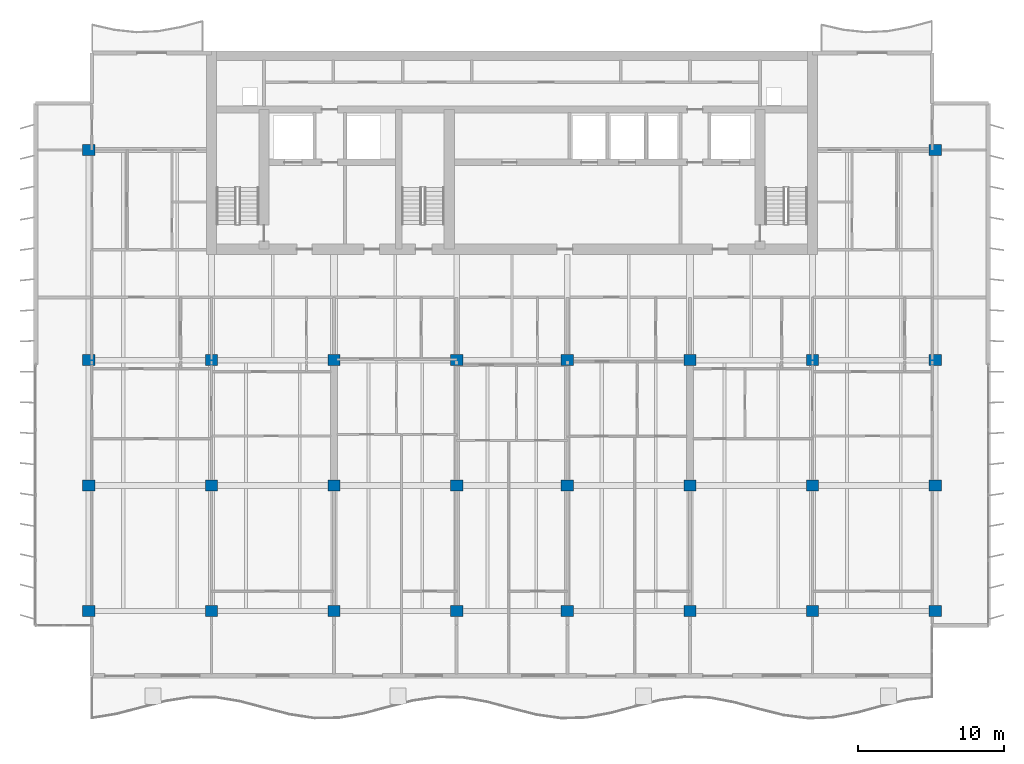
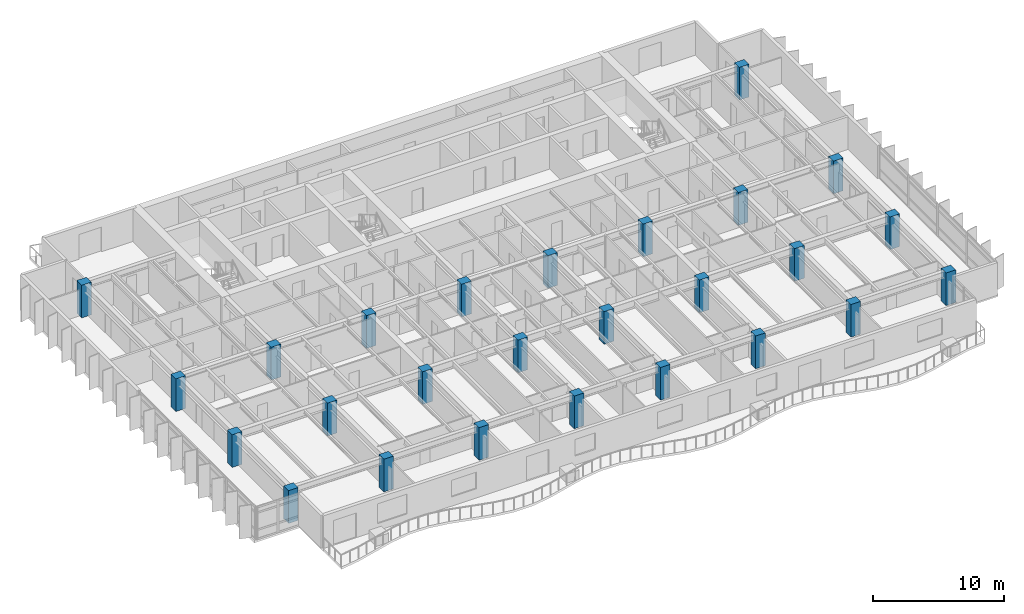
# One storey, part 1 of 19: 26 columns.
"""IFC4 building model written with IfcOpenShell, lengths in metres."""

import ifcopenshell
import ifcopenshell.guid

model = None  # the IFC model being written
_history = None  # IfcOwnerHistory: only IFC2X3 demands one
_inside = {}  # id of a spatial element -> (the spatial element, [elements in it])
_under = {}  # id of a project, library or spatial element -> (it, [spatial elements below it])
_declared = {}  # id of a project -> (the project, [libraries it declares])
_typed = {}  # id of a type object -> (the type object, [elements of that type])
_made_of = {}  # id of a material, layer set ... -> (it, [elements and type objects made of it])


def new_model(schema):
    """Start an empty IFC model of exactly this schema.

    Asked for "IFC4X3", IfcOpenShell would pick the latest addendum, in which some entities
    have other attributes; the version numbers below select the first issue.
    IFC2X3 requires an IfcOwnerHistory on every rooted entity: one is made here for all.
    """
    global model, _history
    if schema == "IFC4X3":
        model = ifcopenshell.file(schema_version=(4, 3, 0, 0))
    else:
        model = ifcopenshell.file(schema=schema)
    _inside.clear()
    _under.clear()
    _declared.clear()
    _typed.clear()
    _made_of.clear()
    _history = None
    if model.schema == "IFC2X3":
        org = make("IfcOrganization", Name="unknown")
        user = make(
            "IfcPersonAndOrganization",
            ThePerson=make("IfcPerson", FamilyName="unknown"),
            TheOrganization=org,
        )
        app = make(
            "IfcApplication",
            ApplicationDeveloper=org,
            Version="unknown",
            ApplicationFullName="unknown",
            ApplicationIdentifier="unknown",
        )
        _history = make(
            "IfcOwnerHistory",
            OwningUser=user,
            OwningApplication=app,
            ChangeAction="ADDED",
            CreationDate=0,
        )
    return model


def make(cls, **values):
    """One entity of the class cls with the attributes given. An attribute that is None is left unset."""
    return model.create_entity(
        cls, **{name: value for name, value in values.items() if value is not None}
    )


def rooted(cls, **values):
    """An entity with a GlobalId (a new one), such as an element, a storey or a relation."""
    return make(cls, GlobalId=ifcopenshell.guid.new(), OwnerHistory=_history, **values)


def si_unit(unit_type, name, prefix=None):
    """IfcSIUnit, for example si_unit("LENGTHUNIT", "METRE", prefix="MILLI")."""
    return make("IfcSIUnit", UnitType=unit_type, Prefix=prefix, Name=name)


def assignment(units):
    """IfcUnitAssignment: the units of a project."""
    return None if units is None else make("IfcUnitAssignment", Units=units)


def point(xyz):
    """IfcCartesianPoint."""
    return None if xyz is None else make("IfcCartesianPoint", Coordinates=xyz)


def direction(xyz):
    """IfcDirection."""
    return None if xyz is None else make("IfcDirection", DirectionRatios=xyz)


def frame(location, z_axis=None, x_axis=None):
    """IfcAxis2Placement3D, a coordinate frame: its origin and axes. An axis left out is left unset."""
    return make(
        "IfcAxis2Placement3D",
        Location=point(location),
        Axis=direction(z_axis),
        RefDirection=direction(x_axis),
    )


def frame_2d(location, x_axis=None):
    """IfcAxis2Placement2D, a coordinate frame in the plane: its origin and x axis."""
    return make(
        "IfcAxis2Placement2D", Location=point(location), RefDirection=direction(x_axis)
    )


def origin():
    """The frame at (0, 0, 0) with its axes left unset."""
    return frame((0.0, 0.0, 0.0))


def origin_2d():
    """The frame at (0, 0) in the plane with its x axis left unset."""
    return frame_2d((0.0, 0.0))


def place(relative_to, where):
    """IfcLocalPlacement: puts the frame where relative to a parent placement (None: the world)."""
    return make(
        "IfcLocalPlacement", PlacementRelTo=relative_to, RelativePlacement=where
    )


def context(
    kind, dimensions, precision=None, world=None, true_north=None, identifier=None
):
    """IfcGeometricRepresentationContext, for example the 3D "Model" context."""
    return make(
        "IfcGeometricRepresentationContext",
        ContextIdentifier=identifier,
        ContextType=kind,
        CoordinateSpaceDimension=dimensions,
        Precision=precision,
        WorldCoordinateSystem=world,
        TrueNorth=true_north,
    )


def subcontext(parent, identifier, kind, view, scale=None):
    """IfcGeometricRepresentationSubContext, for example "Body" below "Model"."""
    return make(
        "IfcGeometricRepresentationSubContext",
        ContextIdentifier=identifier,
        ContextType=kind,
        ParentContext=parent,
        TargetScale=scale,
        TargetView=view,
    )


def project(units=None, contexts=None):
    """IfcProject with its units and contexts."""
    return rooted(
        "IfcProject",
        Name="project",
        RepresentationContexts=contexts,
        UnitsInContext=assignment(units),
    )


def spatial(cls, under=None, at=None, **own):
    """A site, building, storey or space (cls), placed at a placement, below another one or the project."""
    s = rooted(cls, ObjectPlacement=at, **own)
    if under is not None:
        _under.setdefault(under.id(), (under, []))[1].append(s)
    return s


def profile(cls, at=None, kind="AREA", **sizes):
    """A parametric profile (cls). Its sizes go by their IFC names, for example OverallWidth=200.0."""
    return make(cls, ProfileType=kind, Position=at, **sizes)


def rectangle(**sizes):
    """IfcRectangleProfileDef."""
    return profile("IfcRectangleProfileDef", **sizes)


def extrude(swept, where, along, depth):
    """IfcExtrudedAreaSolid: the profile swept, set in the frame where, extruded along a direction by depth."""
    return make(
        "IfcExtrudedAreaSolid",
        SweptArea=swept,
        Position=where,
        ExtrudedDirection=direction(along),
        Depth=depth,
    )


def shape(context_of_items, identifier, shape_type, items):
    """IfcShapeRepresentation: the items that make up one representation, for example the "Body"."""
    return make(
        "IfcShapeRepresentation",
        ContextOfItems=context_of_items,
        RepresentationIdentifier=identifier,
        RepresentationType=shape_type,
        Items=items,
    )


def material(Name=None, Category=None):
    """IfcMaterial."""
    return make("IfcMaterial", Name=Name, Category=Category)


def material_profile(
    of_material, cross_section, Name=None, Category=None, Priority=None
):
    """IfcMaterialProfile: a cross section and its material."""
    return make(
        "IfcMaterialProfile",
        Name=Name,
        Material=of_material,
        Profile=cross_section,
        Priority=Priority,
        Category=Category,
    )


def profile_set(profiles, Name=None, composite=None):
    """IfcMaterialProfileSet."""
    return make(
        "IfcMaterialProfileSet",
        Name=Name,
        MaterialProfiles=profiles,
        CompositeProfile=composite,
    )


def made_of(thing, what):
    """Note that an element or type object is made of a material, layer set ...; save() writes the relation."""
    if what is not None:
        _made_of.setdefault(what.id(), (what, []))[1].append(thing)
    return thing


def type_object(cls, material=None, **own):
    """A type object (cls), such as IfcWallType, which elements share."""
    return made_of(rooted(cls, **own), material)


def element(
    cls,
    number,
    at=None,
    inside=None,
    cuts=None,
    type_object=None,
    material=None,
    context=None,
    identifier="Body",
    shape_type=None,
    held_by="IfcProductDefinitionShape",
    body=None,
    shapes=None,
    **own,
):
    """One element of the class cls, such as IfcWall. Its Tag is "e" and its number.

    at: its placement. inside: the storey or other place that contains it. cuts: it is an
    opening in that element (IfcRelVoidsElement). A single representation is given by context,
    identifier, shape_type and body (its items); several are given by shapes. held_by: the class
    of the entity that holds the representations. save() writes the other relations.
    """
    e = rooted(cls, Tag="e%d" % number, ObjectPlacement=at, **own)
    if body is not None:
        shapes = [shape(context, identifier, shape_type, body)]
    if shapes is not None:
        e.Representation = make(held_by, Representations=shapes)
    if inside is not None:
        _inside.setdefault(inside.id(), (inside, []))[1].append(e)
    if cuts is not None:
        rooted(
            "IfcRelVoidsElement", RelatingBuildingElement=cuts, RelatedOpeningElement=e
        )
    if type_object is not None:
        _typed.setdefault(type_object.id(), (type_object, []))[1].append(e)
    return made_of(e, material)


def aggregate(whole, parts):
    """IfcRelAggregates: a whole, such as a stair, and the parts it consists of."""
    return rooted("IfcRelAggregates", RelatingObject=whole, RelatedObjects=parts)


def save(model, path):
    """Write the relations noted so far, then the file.

    IfcRelAggregates (storeys below a building ...), IfcRelContainedInSpatialStructure (elements
    in a storey), IfcRelDefinesByType, IfcRelAssociatesMaterial and IfcRelDeclares: one each for
    every whole, place, type object, material and project.
    """
    for whole, parts in _under.values():
        aggregate(whole, parts)
    for where, things in _inside.values():
        rooted(
            "IfcRelContainedInSpatialStructure",
            RelatedElements=things,
            RelatingStructure=where,
        )
    for kind, things in _typed.values():
        rooted("IfcRelDefinesByType", RelatedObjects=things, RelatingType=kind)
    for what, things in _made_of.values():
        rooted("IfcRelAssociatesMaterial", RelatedObjects=things, RelatingMaterial=what)
    for by, libraries in _declared.values():
        rooted("IfcRelDeclares", RelatingContext=by, RelatedDefinitions=libraries)
    model.write(path)


model = new_model("IFC4")

# Units and contexts
model_context = context("Model", 3, precision=1e-05, world=origin(), true_north=direction((0.0, 1.0)))
body_context = subcontext(model_context, "Body", "Model", "MODEL_VIEW")
ifc_project = project(units=[si_unit("LENGTHUNIT", "METRE"), si_unit("AREAUNIT", "SQUARE_METRE"), si_unit("VOLUMEUNIT", "CUBIC_METRE"), si_unit("PLANEANGLEUNIT", "RADIAN"), si_unit("MASSUNIT", "GRAM", prefix="KILO")], contexts=[model_context])

# Site, building, storey
site_placement = place(None, origin())
site = spatial("IfcSite", under=ifc_project, at=site_placement, CompositionType="ELEMENT")
building_placement = place(site_placement, origin())
building = spatial("IfcBuilding", under=site, at=building_placement, Name="Caelmar Bay Residences", CompositionType="ELEMENT")
storey_placement = place(building_placement, frame((0.0, 0.0, 167.10009765625)))
storey = spatial("IfcBuildingStorey", under=building, at=storey_placement, Name="L46", CompositionType="ELEMENT", Elevation=167.10009765625)

# Columns
ifc_material = material(Name="Concrete f'c 55 MPa (8,000 psi)", Category="concrete")
ifc_material_profile = material_profile(ifc_material, rectangle(XDim=0.85009765625, YDim=0.75, at=origin_2d()), Name="RC-COL-850X750")
ifc_profile_set = profile_set([ifc_material_profile], Name="Concrete f'c 55 MPa (8,000 psi)")
column_type = type_object("IfcColumnType", Name="COL-RC-850X750", PredefinedType="COLUMN", material=ifc_profile_set)
for number, where, z_axis, x_axis, name in (
    (1, (9.89990234375, 12.199951171875, 0.0), (0.0, 0.0, 1.0), (1.0, 0.0, 0.0), "L46 Column (9.90,12.20)"),
    (2, (18.300048828125, 12.199951171875, 0.0), (0.0, 0.0, 1.0), (1.0, 0.0, 0.0), "L46 Column (18.30,12.20)"),
    (3, (26.699951171875, 12.199951171875, 0.0), (0.0, 0.0, 1.0), (1.0, 0.0, 0.0), "L46 Column (26.70,12.20)"),
    (4, (35.10009765625, 12.199951171875, 0.0), (0.0, 0.0, 1.0), (1.0, 0.0, 0.0), "L46 Column (35.10,12.20)"),
    (5, (42.699951171875, 12.199951171875, 0.0), (0.0, 0.0, 1.0), (1.0, 0.0, 0.0), "L46 Column (42.70,12.20)"),
    (6, (51.10009765625, 12.199951171875, 0.0), (0.0, 0.0, 1.0), (1.0, 0.0, 0.0), "L46 Column (51.10,12.20)"),
    (7, (59.5, 12.199951171875, 0.0), (0.0, 0.0, 1.0), (1.0, 0.0, 0.0), "L46 Column (59.50,12.20)"),
    (8, (67.89990234375, 12.199951171875, 0.0), (0.0, 0.0, 1.0), (1.0, 0.0, 0.0), "L46 Column (67.90,12.20)"),
    (9, (9.89990234375, 20.800048828125, 0.0), (0.0, 0.0, 1.0), (1.0, 0.0, 0.0), "L46 Column (9.90,20.80)"),
    (10, (18.300048828125, 20.800048828125, 0.0), (0.0, 0.0, 1.0), (1.0, 0.0, 0.0), "L46 Column (18.30,20.80)"),
    (11, (26.699951171875, 20.800048828125, 0.0), (0.0, 0.0, 1.0), (1.0, 0.0, 0.0), "L46 Column (26.70,20.80)"),
    (12, (35.10009765625, 20.800048828125, 0.0), (0.0, 0.0, 1.0), (1.0, 0.0, 0.0), "L46 Column (35.10,20.80)"),
    (13, (42.699951171875, 20.800048828125, 0.0), (0.0, 0.0, 1.0), (1.0, 0.0, 0.0), "L46 Column (42.70,20.80)"),
    (14, (51.10009765625, 20.800048828125, 0.0), (0.0, 0.0, 1.0), (1.0, 0.0, 0.0), "L46 Column (51.10,20.80)"),
    (15, (59.5, 20.800048828125, 0.0), (0.0, 0.0, 1.0), (1.0, 0.0, 0.0), "L46 Column (59.50,20.80)"),
    (16, (67.89990234375, 20.800048828125, 0.0), (0.0, 0.0, 1.0), (1.0, 0.0, 0.0), "L46 Column (67.90,20.80)"),
    (17, (9.89990234375, 29.39990234375, 0.0), (0.0, 0.0, 1.0), (1.0, 0.0, 0.0), "L46 Column (9.90,29.40)"),
    (18, (18.300048828125, 29.39990234375, 0.0), (0.0, 0.0, 1.0), (1.0, 0.0, 0.0), "L46 Column (18.30,29.40)"),
    (19, (26.699951171875, 29.39990234375, 0.0), (0.0, 0.0, 1.0), (1.0, 0.0, 0.0), "L46 Column (26.70,29.40)"),
    (20, (35.10009765625, 29.39990234375, 0.0), (0.0, 0.0, 1.0), (1.0, 0.0, 0.0), "L46 Column (35.10,29.40)"),
    (21, (42.699951171875, 29.39990234375, 0.0), (0.0, 0.0, 1.0), (1.0, 0.0, 0.0), "L46 Column (42.70,29.40)"),
    (22, (51.10009765625, 29.39990234375, 0.0), (0.0, 0.0, 1.0), (1.0, 0.0, 0.0), "L46 Column (51.10,29.40)"),
    (23, (59.5, 29.39990234375, 0.0), (0.0, 0.0, 1.0), (1.0, 0.0, 0.0), "L46 Column (59.50,29.40)"),
    (24, (67.89990234375, 29.39990234375, 0.0), (0.0, 0.0, 1.0), (1.0, 0.0, 0.0), "L46 Column (67.90,29.40)"),
    (25, (9.89990234375, 43.800048828125, 0.0), (0.0, 0.0, 1.0), (1.0, 0.0, 0.0), "L46 Column (9.90,43.80)"),
    (26, (67.89990234375, 43.800048828125, 0.0), (0.0, 0.0, 1.0), (1.0, 0.0, 0.0), "L46 Column (67.90,43.80)"),
):
    element("IfcColumn", number, at=place(storey_placement, frame(where, z_axis=z_axis, x_axis=x_axis)), inside=storey, type_object=column_type, Name=name, PredefinedType="COLUMN", context=body_context, shape_type="SweptSolid", body=[
        extrude(rectangle(XDim=0.85009765625, YDim=0.75, at=origin_2d()), origin(), (0.0, 0.0, 1.0), 3.0498046875),
    ])

save(model, "model.ifc")
